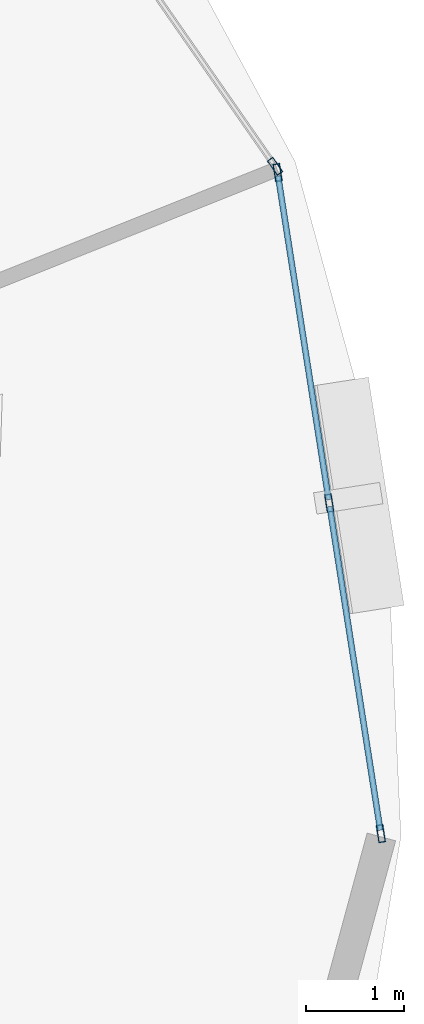
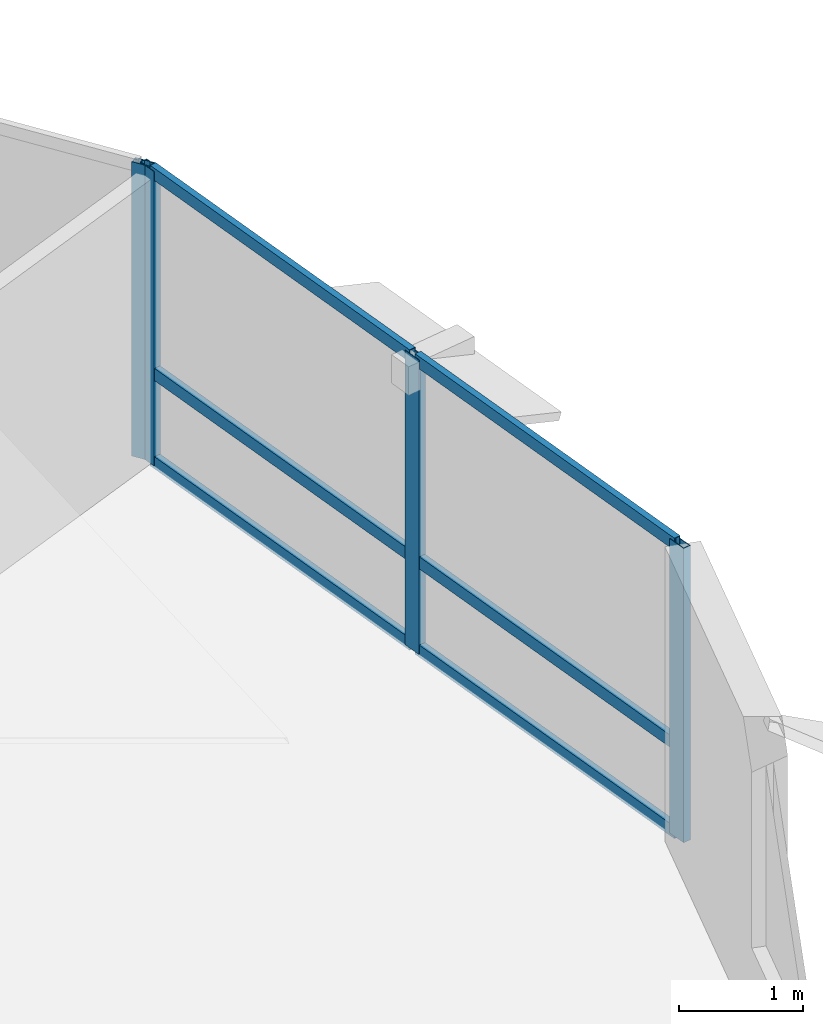
# One storey, part 6 of 14: 10 members, 2 elements without a shape of their own.
"""IFC4 building model written with IfcOpenShell, lengths in metres."""

import ifcopenshell
import ifcopenshell.guid

model = None  # the IFC model being written
_history = None  # IfcOwnerHistory: only IFC2X3 demands one
_inside = {}  # id of a spatial element -> (the spatial element, [elements in it])
_under = {}  # id of a project, library or spatial element -> (it, [spatial elements below it])
_declared = {}  # id of a project -> (the project, [libraries it declares])
_typed = {}  # id of a type object -> (the type object, [elements of that type])
_made_of = {}  # id of a material, layer set ... -> (it, [elements and type objects made of it])


def new_model(schema):
    """Start an empty IFC model of exactly this schema.

    Asked for "IFC4X3", IfcOpenShell would pick the latest addendum, in which some entities
    have other attributes; the version numbers below select the first issue.
    IFC2X3 requires an IfcOwnerHistory on every rooted entity: one is made here for all.
    """
    global model, _history
    if schema == "IFC4X3":
        model = ifcopenshell.file(schema_version=(4, 3, 0, 0))
    else:
        model = ifcopenshell.file(schema=schema)
    _inside.clear()
    _under.clear()
    _declared.clear()
    _typed.clear()
    _made_of.clear()
    _history = None
    if model.schema == "IFC2X3":
        org = make("IfcOrganization", Name="unknown")
        user = make(
            "IfcPersonAndOrganization",
            ThePerson=make("IfcPerson", FamilyName="unknown"),
            TheOrganization=org,
        )
        app = make(
            "IfcApplication",
            ApplicationDeveloper=org,
            Version="unknown",
            ApplicationFullName="unknown",
            ApplicationIdentifier="unknown",
        )
        _history = make(
            "IfcOwnerHistory",
            OwningUser=user,
            OwningApplication=app,
            ChangeAction="ADDED",
            CreationDate=0,
        )
    return model


def make(cls, **values):
    """One entity of the class cls with the attributes given. An attribute that is None is left unset."""
    return model.create_entity(
        cls, **{name: value for name, value in values.items() if value is not None}
    )


def rooted(cls, **values):
    """An entity with a GlobalId (a new one), such as an element, a storey or a relation."""
    return make(cls, GlobalId=ifcopenshell.guid.new(), OwnerHistory=_history, **values)


def si_unit(unit_type, name, prefix=None):
    """IfcSIUnit, for example si_unit("LENGTHUNIT", "METRE", prefix="MILLI")."""
    return make("IfcSIUnit", UnitType=unit_type, Prefix=prefix, Name=name)


def assignment(units):
    """IfcUnitAssignment: the units of a project."""
    return None if units is None else make("IfcUnitAssignment", Units=units)


def point(xyz):
    """IfcCartesianPoint."""
    return None if xyz is None else make("IfcCartesianPoint", Coordinates=xyz)


def direction(xyz):
    """IfcDirection."""
    return None if xyz is None else make("IfcDirection", DirectionRatios=xyz)


def frame(location, z_axis=None, x_axis=None):
    """IfcAxis2Placement3D, a coordinate frame: its origin and axes. An axis left out is left unset."""
    return make(
        "IfcAxis2Placement3D",
        Location=point(location),
        Axis=direction(z_axis),
        RefDirection=direction(x_axis),
    )


def frame_2d(location, x_axis=None):
    """IfcAxis2Placement2D, a coordinate frame in the plane: its origin and x axis."""
    return make(
        "IfcAxis2Placement2D", Location=point(location), RefDirection=direction(x_axis)
    )


def origin():
    """The frame at (0, 0, 0) with its axes left unset."""
    return frame((0.0, 0.0, 0.0))


def origin_2d():
    """The frame at (0, 0) in the plane with its x axis left unset."""
    return frame_2d((0.0, 0.0))


def place(relative_to, where):
    """IfcLocalPlacement: puts the frame where relative to a parent placement (None: the world)."""
    return make(
        "IfcLocalPlacement", PlacementRelTo=relative_to, RelativePlacement=where
    )


def context(
    kind, dimensions, precision=None, world=None, true_north=None, identifier=None
):
    """IfcGeometricRepresentationContext, for example the 3D "Model" context."""
    return make(
        "IfcGeometricRepresentationContext",
        ContextIdentifier=identifier,
        ContextType=kind,
        CoordinateSpaceDimension=dimensions,
        Precision=precision,
        WorldCoordinateSystem=world,
        TrueNorth=true_north,
    )


def subcontext(parent, identifier, kind, view, scale=None):
    """IfcGeometricRepresentationSubContext, for example "Body" below "Model"."""
    return make(
        "IfcGeometricRepresentationSubContext",
        ContextIdentifier=identifier,
        ContextType=kind,
        ParentContext=parent,
        TargetScale=scale,
        TargetView=view,
    )


def project(units=None, contexts=None):
    """IfcProject with its units and contexts."""
    return rooted(
        "IfcProject",
        Name="project",
        RepresentationContexts=contexts,
        UnitsInContext=assignment(units),
    )


def spatial(cls, under=None, at=None, **own):
    """A site, building, storey or space (cls), placed at a placement, below another one or the project."""
    s = rooted(cls, ObjectPlacement=at, **own)
    if under is not None:
        _under.setdefault(under.id(), (under, []))[1].append(s)
    return s


def profile(cls, at=None, kind="AREA", **sizes):
    """A parametric profile (cls). Its sizes go by their IFC names, for example OverallWidth=200.0."""
    return make(cls, ProfileType=kind, Position=at, **sizes)


def hollow_rectangle(**sizes):
    """IfcRectangleHollowProfileDef."""
    return profile("IfcRectangleHollowProfileDef", **sizes)


def extrude(swept, where, along, depth):
    """IfcExtrudedAreaSolid: the profile swept, set in the frame where, extruded along a direction by depth."""
    return make(
        "IfcExtrudedAreaSolid",
        SweptArea=swept,
        Position=where,
        ExtrudedDirection=direction(along),
        Depth=depth,
    )


def shape(context_of_items, identifier, shape_type, items):
    """IfcShapeRepresentation: the items that make up one representation, for example the "Body"."""
    return make(
        "IfcShapeRepresentation",
        ContextOfItems=context_of_items,
        RepresentationIdentifier=identifier,
        RepresentationType=shape_type,
        Items=items,
    )


def material(Name=None, Category=None):
    """IfcMaterial."""
    return make("IfcMaterial", Name=Name, Category=Category)


def layer(
    of_material, thickness, ventilated=None, Name=None, Category=None, Priority=None
):
    """IfcMaterialLayer: one layer of a wall or slab, of a material (None: an air gap)."""
    return make(
        "IfcMaterialLayer",
        Material=of_material,
        LayerThickness=thickness,
        IsVentilated=ventilated,
        Name=Name,
        Category=Category,
        Priority=Priority,
    )


def layer_set(layers, Name=None):
    """IfcMaterialLayerSet."""
    return make("IfcMaterialLayerSet", MaterialLayers=layers, LayerSetName=Name)


def material_profile(
    of_material, cross_section, Name=None, Category=None, Priority=None
):
    """IfcMaterialProfile: a cross section and its material."""
    return make(
        "IfcMaterialProfile",
        Name=Name,
        Material=of_material,
        Profile=cross_section,
        Priority=Priority,
        Category=Category,
    )


def profile_set(profiles, Name=None, composite=None):
    """IfcMaterialProfileSet."""
    return make(
        "IfcMaterialProfileSet",
        Name=Name,
        MaterialProfiles=profiles,
        CompositeProfile=composite,
    )


def made_of(thing, what):
    """Note that an element or type object is made of a material, layer set ...; save() writes the relation."""
    if what is not None:
        _made_of.setdefault(what.id(), (what, []))[1].append(thing)
    return thing


def type_object(cls, material=None, **own):
    """A type object (cls), such as IfcWallType, which elements share."""
    return made_of(rooted(cls, **own), material)


def element(
    cls,
    number,
    at=None,
    inside=None,
    cuts=None,
    type_object=None,
    material=None,
    context=None,
    identifier="Body",
    shape_type=None,
    held_by="IfcProductDefinitionShape",
    body=None,
    shapes=None,
    **own,
):
    """One element of the class cls, such as IfcWall. Its Tag is "e" and its number.

    at: its placement. inside: the storey or other place that contains it. cuts: it is an
    opening in that element (IfcRelVoidsElement). A single representation is given by context,
    identifier, shape_type and body (its items); several are given by shapes. held_by: the class
    of the entity that holds the representations. save() writes the other relations.
    """
    e = rooted(cls, Tag="e%d" % number, ObjectPlacement=at, **own)
    if body is not None:
        shapes = [shape(context, identifier, shape_type, body)]
    if shapes is not None:
        e.Representation = make(held_by, Representations=shapes)
    if inside is not None:
        _inside.setdefault(inside.id(), (inside, []))[1].append(e)
    if cuts is not None:
        rooted(
            "IfcRelVoidsElement", RelatingBuildingElement=cuts, RelatedOpeningElement=e
        )
    if type_object is not None:
        _typed.setdefault(type_object.id(), (type_object, []))[1].append(e)
    return made_of(e, material)


def aggregate(whole, parts):
    """IfcRelAggregates: a whole, such as a stair, and the parts it consists of."""
    return rooted("IfcRelAggregates", RelatingObject=whole, RelatedObjects=parts)


def save(model, path):
    """Write the relations noted so far, then the file.

    IfcRelAggregates (storeys below a building ...), IfcRelContainedInSpatialStructure (elements
    in a storey), IfcRelDefinesByType, IfcRelAssociatesMaterial and IfcRelDeclares: one each for
    every whole, place, type object, material and project.
    """
    for whole, parts in _under.values():
        aggregate(whole, parts)
    for where, things in _inside.values():
        rooted(
            "IfcRelContainedInSpatialStructure",
            RelatedElements=things,
            RelatingStructure=where,
        )
    for kind, things in _typed.values():
        rooted("IfcRelDefinesByType", RelatedObjects=things, RelatingType=kind)
    for what, things in _made_of.values():
        rooted("IfcRelAssociatesMaterial", RelatedObjects=things, RelatingMaterial=what)
    for by, libraries in _declared.values():
        rooted("IfcRelDeclares", RelatingContext=by, RelatedDefinitions=libraries)
    model.write(path)


model = new_model("IFC4")

# Units and contexts
model_context = context("Model", 3, precision=1e-05, world=origin(), true_north=direction((0.0, 1.0)))
body_context = subcontext(model_context, "Body", "Model", "MODEL_VIEW")
ifc_project = project(units=[si_unit("LENGTHUNIT", "METRE"), si_unit("AREAUNIT", "SQUARE_METRE"), si_unit("VOLUMEUNIT", "CUBIC_METRE"), si_unit("PLANEANGLEUNIT", "RADIAN"), si_unit("MASSUNIT", "GRAM", prefix="KILO"), si_unit("THERMODYNAMICTEMPERATUREUNIT", "KELVIN"), si_unit("POWERUNIT", "WATT")], contexts=[model_context])

# Site, building, storey
site_placement = place(None, origin())
site = spatial("IfcSite", under=ifc_project, at=site_placement, CompositionType="ELEMENT")
building_placement = place(site_placement, origin())
building = spatial("IfcBuilding", under=site, at=building_placement, Name="Ocrelia Relay Tower", CompositionType="ELEMENT")
storey_placement = place(building_placement, frame((0.0, 0.0, 125.800048828125)))
storey = spatial("IfcBuildingStorey", under=building, at=storey_placement, Name="L29", CompositionType="ELEMENT", Elevation=125.800048828125)

# Curtain wall, member
ifc_material_1 = material(Name="Aluminium and solar-control low-E glass", Category="aluminium")
ifc_layer = layer(ifc_material_1, 0.179931640625, Name="Aluminium and solar-control low-E glass")
ifc_layer_set = layer_set([ifc_layer], Name="Aluminium and solar-control low-E glass")
curtain_wall_type = type_object("IfcCurtainWallType", Name="CW-SYS-Z2-SWIT", PredefinedType="NOTDEFINED", material=ifc_layer_set)
curtain_wall_1_placement = place(storey_placement, origin())
curtain_wall_1 = element("IfcCurtainWall", 1, at=curtain_wall_1_placement, inside=storey, type_object=curtain_wall_type, Name="L29 Elliptical Tower Curtain Wall Bay 01", PredefinedType="NOTDEFINED")
ifc_material_2 = material(Name="Anodised bronze aluminium", Category="aluminium")
ifc_material_profile_1 = material_profile(ifc_material_2, hollow_rectangle(XDim=0.070068359375, YDim=0.179931640625, WallThickness=0.006103515625, at=origin_2d()), Name="CW-MUL-180x70")
ifc_profile_set_1 = profile_set([ifc_material_profile_1], Name="Anodised bronze aluminium")
member_type_1 = type_object("IfcMemberType", Name="CW-SYS-Z2-SWIT-MUL", PredefinedType="MULLION", material=ifc_profile_set_1)
member_1_placement = place(storey_placement, frame((57.740966796875, 35.556640625, 0.0), z_axis=(0.0, 0.0, 1.0), x_axis=(-0.820954679585, -0.570993357289, 0.0)))
member_1 = element("IfcMember", 2, at=member_1_placement, type_object=member_type_1, Name="CW-Z2 mullion 1", PredefinedType="MULLION", context=body_context, shape_type="SweptSolid", body=[
    extrude(hollow_rectangle(XDim=0.070068359375, YDim=0.179931640625, WallThickness=0.006103515625, at=origin_2d()), origin(), (0.0, 0.0, 1.0), 2.89990234375),
])
aggregate(curtain_wall_1, [member_1])

# Curtain wall, members
curtain_wall_2_placement = place(storey_placement, origin())
curtain_wall_2 = element("IfcCurtainWall", 3, at=curtain_wall_2_placement, inside=storey, type_object=curtain_wall_type, Name="L29 Elliptical Tower Curtain Wall Bay 18", PredefinedType="NOTDEFINED")
member_2_placement = place(storey_placement, frame((58.8173828125, 28.765625, 0.0), z_axis=(0.0, 0.0, 1.0), x_axis=(-0.988011687309, -0.154379097489, 0.0)))
member_2 = element("IfcMember", 4, at=member_2_placement, type_object=member_type_1, Name="CW-Z2 mullion 1", PredefinedType="MULLION", context=body_context, shape_type="SweptSolid", body=[
    extrude(hollow_rectangle(XDim=0.070068359375, YDim=0.179931640625, WallThickness=0.006103515625, at=origin_2d()), origin(), (0.0, 0.0, 1.0), 2.89990234375),
])
member_3_placement = place(storey_placement, frame((58.2919921875, 32.12939453125, 0.0), z_axis=(0.0, 0.0, 1.0), x_axis=(-0.988011687309, -0.154379097489, 0.0)))
member_3 = element("IfcMember", 5, at=member_3_placement, type_object=member_type_1, Name="CW-Z2 mullion 2", PredefinedType="MULLION", context=body_context, shape_type="SweptSolid", body=[
    extrude(hollow_rectangle(XDim=0.070068359375, YDim=0.179931640625, WallThickness=0.006103515625, at=origin_2d()), origin(), (0.0, 0.0, 1.0), 2.89990234375),
])
member_4_placement = place(storey_placement, frame((57.766357421875, 35.4931640625, 0.0), z_axis=(0.0, 0.0, 1.0), x_axis=(-0.988011687309, -0.154379097489, 0.0)))
member_4 = element("IfcMember", 6, at=member_4_placement, type_object=member_type_1, Name="CW-Z2 mullion 3", PredefinedType="MULLION", context=body_context, shape_type="SweptSolid", body=[
    extrude(hollow_rectangle(XDim=0.070068359375, YDim=0.179931640625, WallThickness=0.006103515625, at=origin_2d()), origin(), (0.0, 0.0, 1.0), 2.89990234375),
])
ifc_material_profile_2 = material_profile(ifc_material_2, hollow_rectangle(XDim=0.06005859375, YDim=0.1201171875, WallThickness=0.0048828125, at=origin_2d()), Name="CW-TRN-120x60")
ifc_profile_set_2 = profile_set([ifc_material_profile_2], Name="Anodised bronze aluminium")
member_type_2 = type_object("IfcMemberType", Name="CW-SYS-Z2-SWIT-TRN", PredefinedType="USERDEFINED", material=ifc_profile_set_2)
member_5_placement = place(storey_placement, frame((58.81201171875, 28.80029296875, 0.030029296875), z_axis=(-0.154334445508, 0.98801866325, 0.0), x_axis=(-0.98801866325, -0.154334445508, 0.0)))
member_5 = element("IfcMember", 7, at=member_5_placement, type_object=member_type_2, Name="CW-Z2 transom 1.1", ObjectType="TRANSOM", PredefinedType="USERDEFINED", context=body_context, shape_type="SweptSolid", body=[
    extrude(hollow_rectangle(XDim=0.06005859375, YDim=0.1201171875, WallThickness=0.0048828125, at=origin_2d()), origin(), (0.0, 0.0, 1.0), 3.334716796875),
])
member_6_placement = place(storey_placement, frame((58.81201171875, 28.80029296875, 0.89990234375), z_axis=(-0.154334445508, 0.98801866325, 0.0), x_axis=(-0.98801866325, -0.154334445508, 0.0)))
member_6 = element("IfcMember", 8, at=member_6_placement, type_object=member_type_2, Name="CW-Z2 transom 1.2", ObjectType="TRANSOM", PredefinedType="USERDEFINED", context=body_context, shape_type="SweptSolid", body=[
    extrude(hollow_rectangle(XDim=0.06005859375, YDim=0.1201171875, WallThickness=0.0048828125, at=origin_2d()), origin(), (0.0, 0.0, 1.0), 3.334716796875),
])
member_7_placement = place(storey_placement, frame((58.81201171875, 28.80029296875, 2.869873046875), z_axis=(-0.154334445508, 0.98801866325, 0.0), x_axis=(-0.98801866325, -0.154334445508, 0.0)))
member_7 = element("IfcMember", 9, at=member_7_placement, type_object=member_type_2, Name="CW-Z2 transom 1.3", ObjectType="TRANSOM", PredefinedType="USERDEFINED", context=body_context, shape_type="SweptSolid", body=[
    extrude(hollow_rectangle(XDim=0.06005859375, YDim=0.1201171875, WallThickness=0.0048828125, at=origin_2d()), origin(), (0.0, 0.0, 1.0), 3.334716796875),
])
member_8_placement = place(storey_placement, frame((58.286376953125, 32.1640625, 0.030029296875), z_axis=(-0.154334445508, 0.98801866325, 0.0), x_axis=(-0.98801866325, -0.154334445508, 0.0)))
member_8 = element("IfcMember", 10, at=member_8_placement, type_object=member_type_2, Name="CW-Z2 transom 2.1", ObjectType="TRANSOM", PredefinedType="USERDEFINED", context=body_context, shape_type="SweptSolid", body=[
    extrude(hollow_rectangle(XDim=0.06005859375, YDim=0.1201171875, WallThickness=0.0048828125, at=origin_2d()), origin(), (0.0, 0.0, 1.0), 3.334716796875),
])
member_9_placement = place(storey_placement, frame((58.286376953125, 32.1640625, 0.89990234375), z_axis=(-0.154334445508, 0.98801866325, 0.0), x_axis=(-0.98801866325, -0.154334445508, 0.0)))
member_9 = element("IfcMember", 11, at=member_9_placement, type_object=member_type_2, Name="CW-Z2 transom 2.2", ObjectType="TRANSOM", PredefinedType="USERDEFINED", context=body_context, shape_type="SweptSolid", body=[
    extrude(hollow_rectangle(XDim=0.06005859375, YDim=0.1201171875, WallThickness=0.0048828125, at=origin_2d()), origin(), (0.0, 0.0, 1.0), 3.334716796875),
])
member_10_placement = place(storey_placement, frame((58.286376953125, 32.1640625, 2.869873046875), z_axis=(-0.154334445508, 0.98801866325, 0.0), x_axis=(-0.98801866325, -0.154334445508, 0.0)))
member_10 = element("IfcMember", 12, at=member_10_placement, type_object=member_type_2, Name="CW-Z2 transom 2.3", ObjectType="TRANSOM", PredefinedType="USERDEFINED", context=body_context, shape_type="SweptSolid", body=[
    extrude(hollow_rectangle(XDim=0.06005859375, YDim=0.1201171875, WallThickness=0.0048828125, at=origin_2d()), origin(), (0.0, 0.0, 1.0), 3.334716796875),
])
aggregate(curtain_wall_2, [member_2, member_3, member_4, member_5, member_6, member_7, member_8, member_9, member_10])

save(model, "model.ifc")
